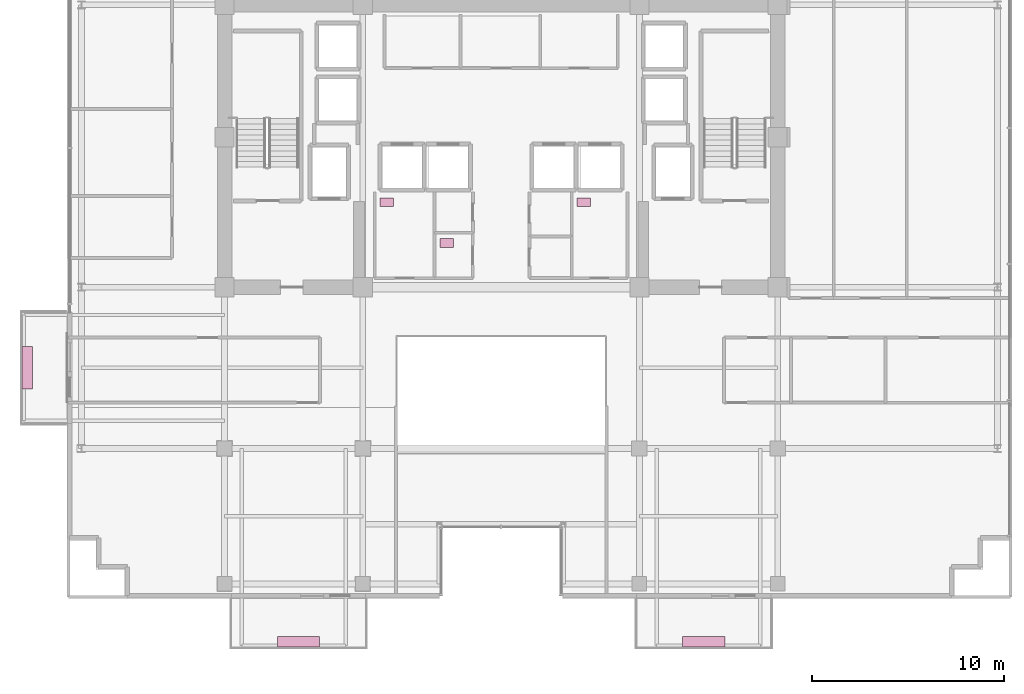
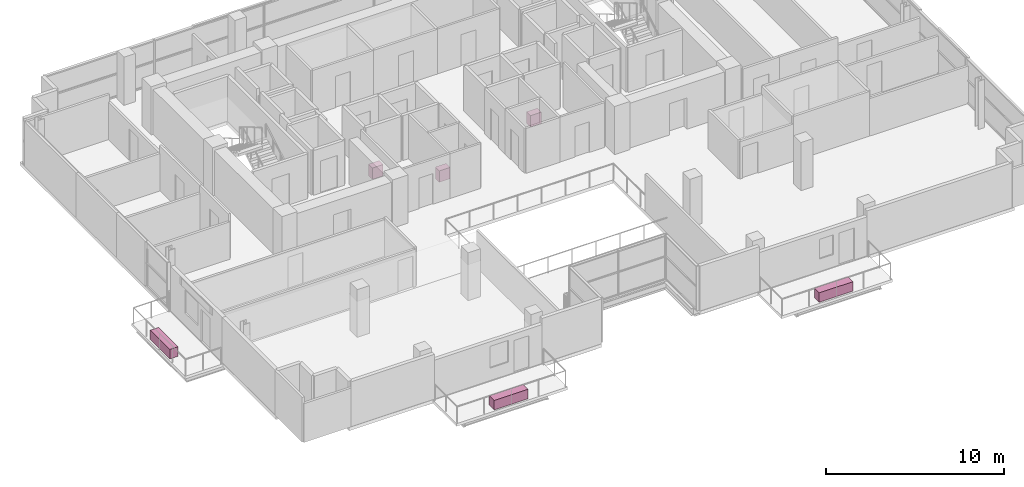
# One storey, part 22 of 22: 6 furnishings.
"""IFC4 building model written with IfcOpenShell, lengths in metres."""

from ifc_helpers import new_model, si_unit, direction, frame, origin, origin_2d, place, context, subcontext, project, spatial, rectangle, extrude, source, transform, mapped, material, type_object, element, save


model = new_model("IFC4")

# Units and contexts
model_context = context("Model", 3, precision=1e-05, world=origin(), true_north=direction((0.0, 1.0)))
body_context = subcontext(model_context, "Body", "Model", "MODEL_VIEW")
ifc_project = project(units=[si_unit("LENGTHUNIT", "METRE"), si_unit("AREAUNIT", "SQUARE_METRE"), si_unit("VOLUMEUNIT", "CUBIC_METRE"), si_unit("PLANEANGLEUNIT", "RADIAN"), si_unit("MASSUNIT", "GRAM", prefix="KILO")], contexts=[model_context])

# Site, building, storey
site_placement = place(None, origin())
site = spatial("IfcSite", under=ifc_project, at=site_placement, CompositionType="ELEMENT")
building_placement = place(site_placement, origin())
building = spatial("IfcBuilding", under=site, at=building_placement, Name="Zarnakvel Exchange Tower", CompositionType="ELEMENT")
storey_placement = place(building_placement, frame((0.0, 0.0, 192.39990234375)))
storey = spatial("IfcBuildingStorey", under=building, at=storey_placement, Name="L54", CompositionType="ELEMENT", Elevation=192.39990234375)

# Furnishings
ifc_material_1 = material(Name="Architectural Bronze Anodised Aluminium", Category="aluminium")
furnishing_element_type_1 = type_object("IfcFurnishingElementType", Name="PLNT-01", material=ifc_material_1)
shared_shape_1 = source(origin(), body_context, "Body", "SweptSolid", [
    extrude(rectangle(XDim=2.199951171875, YDim=0.550048828125, at=origin_2d()), origin(), (0.0, 0.0, 1.0), 0.64990234375),
])
for number, where, z_axis, x_axis, name in (
    (1, (-10.550048828125, -19.669921875, -0.034912109375), (0.0, 0.0, 1.0), (1.0, 0.0, 0.0), "L54 Balcony Greenery Planter BAL-L54-SW"),
    (2, (10.550048828125, -19.669921875, -0.034912109375), (0.0, 0.0, 1.0), (1.0, 0.0, 0.0), "L54 Balcony Greenery Planter BAL-L54-SE"),
    (3, (-24.669921875, -5.39990234375, -0.034912109375), (0.0, 0.0, 1.0), (0.0, 1.0, 0.0), "L54 Balcony Greenery Planter BAL-L54-W"),
):
    element("IfcFurnishingElement", number, at=place(storey_placement, frame(where, z_axis=z_axis, x_axis=x_axis)), inside=storey, type_object=furnishing_element_type_1, Name=name, ObjectType="PLANTER", context=body_context, shape_type="MappedRepresentation", body=[
        mapped(shared_shape_1, transform((0.0, 0.0, 0.0), x_axis=(1.0, 0.0, 0.0), y_axis=(0.0, 1.0, 0.0), z_axis=(0.0, 0.0, 1.0), scale=1.0)),
    ])
ifc_material_2 = material(Name="Vitreous China Sanitaryware", Category="ceramic")
furnishing_element_type_2 = type_object("IfcFurnishingElementType", Name="SAN-WC", material=ifc_material_2)
shared_shape_2 = source(origin(), body_context, "Body", "SweptSolid", [
    extrude(rectangle(XDim=0.699951171875, YDim=0.449951171875, at=origin_2d()), origin(), (0.0, 0.0, 1.0), 0.780029296875),
])
for number, where, z_axis, x_axis, name in (
    (4, (-5.949951171875, 3.22998046875, 0.0), (0.0, 0.0, 1.0), (1.0, 0.0, 0.0), "L54 Sanitary Fixture (Male Toilet)"),
    (5, (-2.840087890625, 1.10009765625, 0.0), (0.0, 0.0, 1.0), (1.0, 0.0, 0.0), "L54 Sanitary Fixture (Accessible Toilet)"),
    (6, (4.31005859375, 3.22998046875, 0.0), (0.0, 0.0, 1.0), (1.0, 0.0, 0.0), "L54 Sanitary Fixture (Female Toilet)"),
):
    element("IfcFurnishingElement", number, at=place(storey_placement, frame(where, z_axis=z_axis, x_axis=x_axis)), inside=storey, type_object=furnishing_element_type_2, Name=name, ObjectType="SANITARY_FIXTURE", context=body_context, shape_type="MappedRepresentation", body=[
        mapped(shared_shape_2, transform((0.0, 0.0, 0.0), x_axis=(1.0, 0.0, 0.0), y_axis=(0.0, 1.0, 0.0), z_axis=(0.0, 0.0, 1.0), scale=1.0)),
    ])

save(model, "model.ifc")
